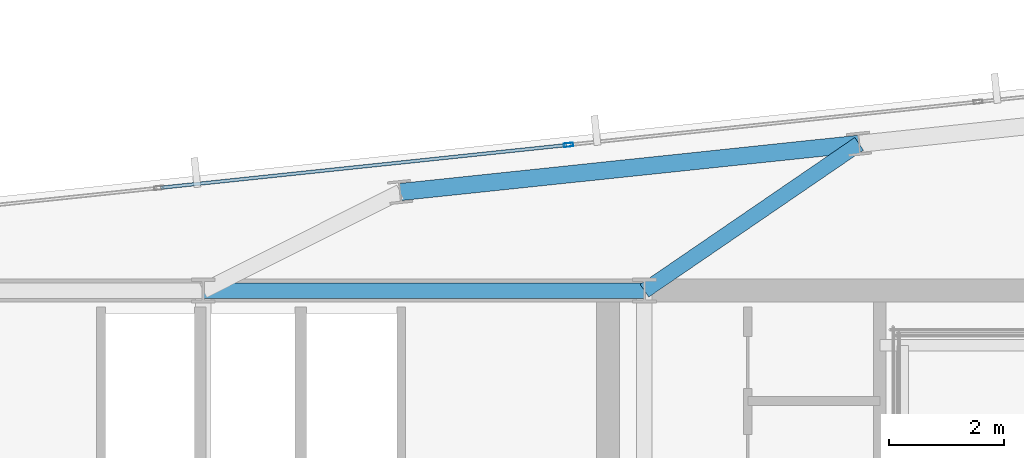
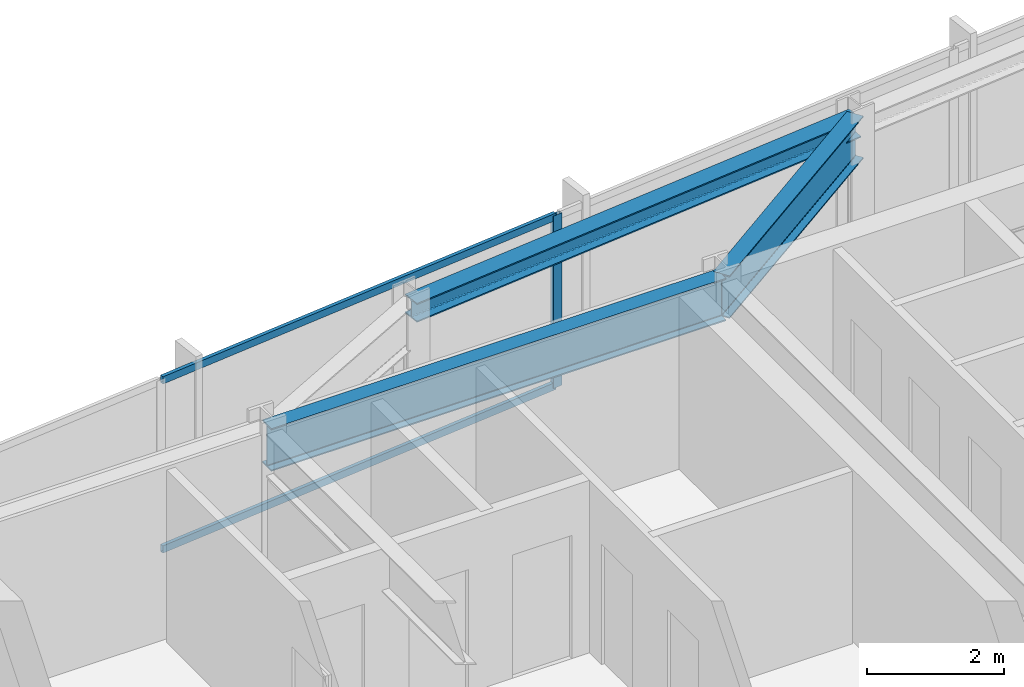
# One storey, part 22 of 33: 3 beams, 3 members, 1 element without a shape of its own.
"""IFC4 building model written with IfcOpenShell, lengths in metres."""

import ifcopenshell
import ifcopenshell.guid

model = None  # the IFC model being written
_history = None  # IfcOwnerHistory: only IFC2X3 demands one
_inside = {}  # id of a spatial element -> (the spatial element, [elements in it])
_under = {}  # id of a project, library or spatial element -> (it, [spatial elements below it])
_declared = {}  # id of a project -> (the project, [libraries it declares])
_typed = {}  # id of a type object -> (the type object, [elements of that type])
_made_of = {}  # id of a material, layer set ... -> (it, [elements and type objects made of it])


def new_model(schema):
    """Start an empty IFC model of exactly this schema.

    Asked for "IFC4X3", IfcOpenShell would pick the latest addendum, in which some entities
    have other attributes; the version numbers below select the first issue.
    IFC2X3 requires an IfcOwnerHistory on every rooted entity: one is made here for all.
    """
    global model, _history
    if schema == "IFC4X3":
        model = ifcopenshell.file(schema_version=(4, 3, 0, 0))
    else:
        model = ifcopenshell.file(schema=schema)
    _inside.clear()
    _under.clear()
    _declared.clear()
    _typed.clear()
    _made_of.clear()
    _history = None
    if model.schema == "IFC2X3":
        org = make("IfcOrganization", Name="unknown")
        user = make(
            "IfcPersonAndOrganization",
            ThePerson=make("IfcPerson", FamilyName="unknown"),
            TheOrganization=org,
        )
        app = make(
            "IfcApplication",
            ApplicationDeveloper=org,
            Version="unknown",
            ApplicationFullName="unknown",
            ApplicationIdentifier="unknown",
        )
        _history = make(
            "IfcOwnerHistory",
            OwningUser=user,
            OwningApplication=app,
            ChangeAction="ADDED",
            CreationDate=0,
        )
    return model


def make(cls, **values):
    """One entity of the class cls with the attributes given. An attribute that is None is left unset."""
    return model.create_entity(
        cls, **{name: value for name, value in values.items() if value is not None}
    )


def rooted(cls, **values):
    """An entity with a GlobalId (a new one), such as an element, a storey or a relation."""
    return make(cls, GlobalId=ifcopenshell.guid.new(), OwnerHistory=_history, **values)


def si_unit(unit_type, name, prefix=None):
    """IfcSIUnit, for example si_unit("LENGTHUNIT", "METRE", prefix="MILLI")."""
    return make("IfcSIUnit", UnitType=unit_type, Prefix=prefix, Name=name)


def assignment(units):
    """IfcUnitAssignment: the units of a project."""
    return None if units is None else make("IfcUnitAssignment", Units=units)


def point(xyz):
    """IfcCartesianPoint."""
    return None if xyz is None else make("IfcCartesianPoint", Coordinates=xyz)


def direction(xyz):
    """IfcDirection."""
    return None if xyz is None else make("IfcDirection", DirectionRatios=xyz)


def frame(location, z_axis=None, x_axis=None):
    """IfcAxis2Placement3D, a coordinate frame: its origin and axes. An axis left out is left unset."""
    return make(
        "IfcAxis2Placement3D",
        Location=point(location),
        Axis=direction(z_axis),
        RefDirection=direction(x_axis),
    )


def frame_2d(location, x_axis=None):
    """IfcAxis2Placement2D, a coordinate frame in the plane: its origin and x axis."""
    return make(
        "IfcAxis2Placement2D", Location=point(location), RefDirection=direction(x_axis)
    )


def origin():
    """The frame at (0, 0, 0) with its axes left unset."""
    return frame((0.0, 0.0, 0.0))


def origin_2d():
    """The frame at (0, 0) in the plane with its x axis left unset."""
    return frame_2d((0.0, 0.0))


def place(relative_to, where):
    """IfcLocalPlacement: puts the frame where relative to a parent placement (None: the world)."""
    return make(
        "IfcLocalPlacement", PlacementRelTo=relative_to, RelativePlacement=where
    )


def context(
    kind, dimensions, precision=None, world=None, true_north=None, identifier=None
):
    """IfcGeometricRepresentationContext, for example the 3D "Model" context."""
    return make(
        "IfcGeometricRepresentationContext",
        ContextIdentifier=identifier,
        ContextType=kind,
        CoordinateSpaceDimension=dimensions,
        Precision=precision,
        WorldCoordinateSystem=world,
        TrueNorth=true_north,
    )


def subcontext(parent, identifier, kind, view, scale=None):
    """IfcGeometricRepresentationSubContext, for example "Body" below "Model"."""
    return make(
        "IfcGeometricRepresentationSubContext",
        ContextIdentifier=identifier,
        ContextType=kind,
        ParentContext=parent,
        TargetScale=scale,
        TargetView=view,
    )


def project(units=None, contexts=None):
    """IfcProject with its units and contexts."""
    return rooted(
        "IfcProject",
        Name="project",
        RepresentationContexts=contexts,
        UnitsInContext=assignment(units),
    )


def spatial(cls, under=None, at=None, **own):
    """A site, building, storey or space (cls), placed at a placement, below another one or the project."""
    s = rooted(cls, ObjectPlacement=at, **own)
    if under is not None:
        _under.setdefault(under.id(), (under, []))[1].append(s)
    return s


def profile(cls, at=None, kind="AREA", **sizes):
    """A parametric profile (cls). Its sizes go by their IFC names, for example OverallWidth=200.0."""
    return make(cls, ProfileType=kind, Position=at, **sizes)


def hollow_rectangle(**sizes):
    """IfcRectangleHollowProfileDef."""
    return profile("IfcRectangleHollowProfileDef", **sizes)


def i_section(**sizes):
    """IfcIShapeProfileDef."""
    return profile("IfcIShapeProfileDef", **sizes)


def extrude(swept, where, along, depth):
    """IfcExtrudedAreaSolid: the profile swept, set in the frame where, extruded along a direction by depth."""
    return make(
        "IfcExtrudedAreaSolid",
        SweptArea=swept,
        Position=where,
        ExtrudedDirection=direction(along),
        Depth=depth,
    )


def shape(context_of_items, identifier, shape_type, items):
    """IfcShapeRepresentation: the items that make up one representation, for example the "Body"."""
    return make(
        "IfcShapeRepresentation",
        ContextOfItems=context_of_items,
        RepresentationIdentifier=identifier,
        RepresentationType=shape_type,
        Items=items,
    )


def material(Name=None, Category=None):
    """IfcMaterial."""
    return make("IfcMaterial", Name=Name, Category=Category)


def material_profile(
    of_material, cross_section, Name=None, Category=None, Priority=None
):
    """IfcMaterialProfile: a cross section and its material."""
    return make(
        "IfcMaterialProfile",
        Name=Name,
        Material=of_material,
        Profile=cross_section,
        Priority=Priority,
        Category=Category,
    )


def profile_set(profiles, Name=None, composite=None):
    """IfcMaterialProfileSet."""
    return make(
        "IfcMaterialProfileSet",
        Name=Name,
        MaterialProfiles=profiles,
        CompositeProfile=composite,
    )


def made_of(thing, what):
    """Note that an element or type object is made of a material, layer set ...; save() writes the relation."""
    if what is not None:
        _made_of.setdefault(what.id(), (what, []))[1].append(thing)
    return thing


def type_object(cls, material=None, **own):
    """A type object (cls), such as IfcWallType, which elements share."""
    return made_of(rooted(cls, **own), material)


def element(
    cls,
    number,
    at=None,
    inside=None,
    cuts=None,
    type_object=None,
    material=None,
    context=None,
    identifier="Body",
    shape_type=None,
    held_by="IfcProductDefinitionShape",
    body=None,
    shapes=None,
    **own,
):
    """One element of the class cls, such as IfcWall. Its Tag is "e" and its number.

    at: its placement. inside: the storey or other place that contains it. cuts: it is an
    opening in that element (IfcRelVoidsElement). A single representation is given by context,
    identifier, shape_type and body (its items); several are given by shapes. held_by: the class
    of the entity that holds the representations. save() writes the other relations.
    """
    e = rooted(cls, Tag="e%d" % number, ObjectPlacement=at, **own)
    if body is not None:
        shapes = [shape(context, identifier, shape_type, body)]
    if shapes is not None:
        e.Representation = make(held_by, Representations=shapes)
    if inside is not None:
        _inside.setdefault(inside.id(), (inside, []))[1].append(e)
    if cuts is not None:
        rooted(
            "IfcRelVoidsElement", RelatingBuildingElement=cuts, RelatedOpeningElement=e
        )
    if type_object is not None:
        _typed.setdefault(type_object.id(), (type_object, []))[1].append(e)
    return made_of(e, material)


def aggregate(whole, parts):
    """IfcRelAggregates: a whole, such as a stair, and the parts it consists of."""
    return rooted("IfcRelAggregates", RelatingObject=whole, RelatedObjects=parts)


def save(model, path):
    """Write the relations noted so far, then the file.

    IfcRelAggregates (storeys below a building ...), IfcRelContainedInSpatialStructure (elements
    in a storey), IfcRelDefinesByType, IfcRelAssociatesMaterial and IfcRelDeclares: one each for
    every whole, place, type object, material and project.
    """
    for whole, parts in _under.values():
        aggregate(whole, parts)
    for where, things in _inside.values():
        rooted(
            "IfcRelContainedInSpatialStructure",
            RelatedElements=things,
            RelatingStructure=where,
        )
    for kind, things in _typed.values():
        rooted("IfcRelDefinesByType", RelatedObjects=things, RelatingType=kind)
    for what, things in _made_of.values():
        rooted("IfcRelAssociatesMaterial", RelatedObjects=things, RelatingMaterial=what)
    for by, libraries in _declared.values():
        rooted("IfcRelDeclares", RelatingContext=by, RelatedDefinitions=libraries)
    model.write(path)


model = new_model("IFC4")

# Units and contexts
model_context = context("Model", 3, precision=1e-05, world=origin(), true_north=direction((0.0, 1.0)))
body_context = subcontext(model_context, "Body", "Model", "MODEL_VIEW")
ifc_project = project(units=[si_unit("LENGTHUNIT", "METRE"), si_unit("AREAUNIT", "SQUARE_METRE"), si_unit("VOLUMEUNIT", "CUBIC_METRE"), si_unit("PLANEANGLEUNIT", "RADIAN"), si_unit("MASSUNIT", "GRAM", prefix="KILO")], contexts=[model_context])

# Site, building, storey
site_placement = place(None, origin())
site = spatial("IfcSite", under=ifc_project, at=site_placement, CompositionType="ELEMENT")
building_placement = place(site_placement, origin())
building = spatial("IfcBuilding", under=site, at=building_placement, Name="Yelkora Congress Tower", CompositionType="ELEMENT")
storey_placement = place(building_placement, frame((0.0, 0.0, 230.89990234375)))
storey = spatial("IfcBuildingStorey", under=building, at=storey_placement, Name="L64", CompositionType="ELEMENT", Elevation=230.89990234375)

# Beams
ifc_material_1 = material(Name="Steel S355J2", Category="steel")
ifc_material_profile_1 = material_profile(ifc_material_1, i_section(OverallWidth=0.26708984375, OverallDepth=0.761962890625, WebThickness=0.014404296875, FlangeThickness=0.021484375, FilletRadius=0.01708984375, at=origin_2d()), Name="IPE 750x173")
ifc_profile_set_1 = profile_set([ifc_material_profile_1], Name="Steel S355J2")
beam_type_1 = type_object("IfcBeamType", Name="BM-GIRD-IPE750", PredefinedType="BEAM", material=ifc_profile_set_1)
beam_1_placement = place(storey_placement, frame((38.39990234375, 46.199951171875, 2.69921875), z_axis=(1.0, 0.0, 0.0), x_axis=(0.0, 1.0, 0.0)))
element("IfcBeam", 1, at=beam_1_placement, inside=storey, type_object=beam_type_1, Name="L64 Core North Girder 4", PredefinedType="BEAM", context=body_context, shape_type="SweptSolid", body=[
    extrude(i_section(OverallWidth=0.26708984375, OverallDepth=0.761962890625, WebThickness=0.014404296875, FlangeThickness=0.021484375, FilletRadius=0.01708984375, at=origin_2d()), origin(), (0.0, 0.0, 1.0), 7.68017578125),
])
beam_2_placement = place(storey_placement, frame((49.8173828125, 48.757080078125, 2.69921875), z_axis=(-0.825304616438, -0.564687781067, 0.0), x_axis=(0.564687781067, -0.825304616438, 0.0)))
element("IfcBeam", 2, at=beam_2_placement, inside=storey, type_object=beam_type_1, Name="L64 Primary Frame Girder N05", PredefinedType="BEAM", context=body_context, shape_type="SweptSolid", body=[
    extrude(i_section(OverallWidth=0.26708984375, OverallDepth=0.761962890625, WebThickness=0.014404296875, FlangeThickness=0.021484375, FilletRadius=0.01708984375, at=origin_2d()), origin(), (0.0, 0.0, 1.0), 4.5283203125),
])
ifc_material_profile_2 = material_profile(ifc_material_1, i_section(OverallWidth=0.300048828125, OverallDepth=0.340087890625, WebThickness=0.011962890625, FlangeThickness=0.021484375, FilletRadius=0.027099609375, at=origin_2d()), Name="HEB 340")
ifc_profile_set_2 = profile_set([ifc_material_profile_2], Name="Steel S355J2")
beam_type_2 = type_object("IfcBeamType", Name="BM-SPAN-HEB340", PredefinedType="SPANDREL", material=ifc_profile_set_2)
beam_3_placement = place(storey_placement, frame((49.8173828125, 48.757080078125, 2.91015625), z_axis=(-0.994523256947, -0.104515507904, 0.0), x_axis=(0.104515507904, -0.994523256947, 0.0)))
element("IfcBeam", 3, at=beam_3_placement, inside=storey, type_object=beam_type_2, Name="L64 Perimeter Beam 15", PredefinedType="SPANDREL", context=body_context, shape_type="SweptSolid", body=[
    extrude(i_section(OverallWidth=0.300048828125, OverallDepth=0.340087890625, WebThickness=0.011962890625, FlangeThickness=0.021484375, FilletRadius=0.027099609375, at=origin_2d()), origin(), (0.0, 0.0, 1.0), 8.033203125),
])

# Curtain wall, members
ifc_material_2 = material(Name="Anodised aluminium and insulated glass", Category="aluminium")
curtain_wall_type = type_object("IfcCurtainWallType", Name="CW-SYS-B4", PredefinedType="NOTDEFINED", material=ifc_material_2)
curtain_wall_placement = place(storey_placement, origin())
curtain_wall = element("IfcCurtainWall", 4, at=curtain_wall_placement, inside=storey, type_object=curtain_wall_type, Name="L64 Unitised Curtain Wall 10 (3)", PredefinedType="NOTDEFINED")
ifc_material_3 = material(Name="Anodised aluminium 6063-T6", Category="aluminium")
ifc_material_profile_3 = material_profile(ifc_material_3, hollow_rectangle(XDim=0.06494140625, YDim=0.159912109375, WallThickness=0.00390625, at=origin_2d()), Name="ALU 65x160x4")
ifc_profile_set_3 = profile_set([ifc_material_profile_3], Name="Anodised aluminium 6063-T6")
member_type_1 = type_object("IfcMemberType", Name="MEM-ML-B4", PredefinedType="MULLION", material=ifc_profile_set_3)
member_1_placement = place(storey_placement, frame((44.75830078125, 48.73828125, 0.0), z_axis=(0.0, 0.0, 1.0), x_axis=(-0.104527724021, 0.994521973066, 0.0)))
member_1 = element("IfcMember", 5, at=member_1_placement, type_object=member_type_1, Name="CW-B4 mullion 4", PredefinedType="MULLION", context=body_context, shape_type="SweptSolid", body=[
    extrude(hollow_rectangle(XDim=0.06494140625, YDim=0.159912109375, WallThickness=0.00390625, at=origin_2d()), origin(), (0.0, 0.0, 1.0), 3.080078125),
])
ifc_material_profile_4 = material_profile(ifc_material_3, hollow_rectangle(XDim=0.06005859375, YDim=0.1298828125, WallThickness=0.00390625, at=origin_2d()), Name="ALU 60x130x4")
ifc_profile_set_4 = profile_set([ifc_material_profile_4], Name="Anodised aluminium 6063-T6")
member_type_2 = type_object("IfcMemberType", Name="MEM-TR-B4", PredefinedType="USERDEFINED", material=ifc_profile_set_4)
member_2_placement = place(storey_placement, frame((37.659912109375, 47.9921875, 0.030029296875), z_axis=(0.994521633799, 0.104530951904, 0.0), x_axis=(-0.104530951904, 0.994521633799, 0.0)))
member_2 = element("IfcMember", 6, at=member_2_placement, type_object=member_type_2, Name="CW-B4 transom 3.1", ObjectType="TRANSOM", PredefinedType="USERDEFINED", context=body_context, shape_type="SweptSolid", body=[
    extrude(hollow_rectangle(XDim=0.06005859375, YDim=0.1298828125, WallThickness=0.00390625, at=origin_2d()), origin(), (0.0, 0.0, 1.0), 7.104736328125),
])
member_3_placement = place(storey_placement, frame((37.659912109375, 47.9921875, 3.050048828125), z_axis=(0.994521633799, 0.104530951904, 0.0), x_axis=(-0.104530951904, 0.994521633799, 0.0)))
member_3 = element("IfcMember", 7, at=member_3_placement, type_object=member_type_2, Name="CW-B4 transom 3.2", ObjectType="TRANSOM", PredefinedType="USERDEFINED", context=body_context, shape_type="SweptSolid", body=[
    extrude(hollow_rectangle(XDim=0.06005859375, YDim=0.1298828125, WallThickness=0.00390625, at=origin_2d()), origin(), (0.0, 0.0, 1.0), 7.104736328125),
])
aggregate(curtain_wall, [member_1, member_2, member_3])

save(model, "model.ifc")
